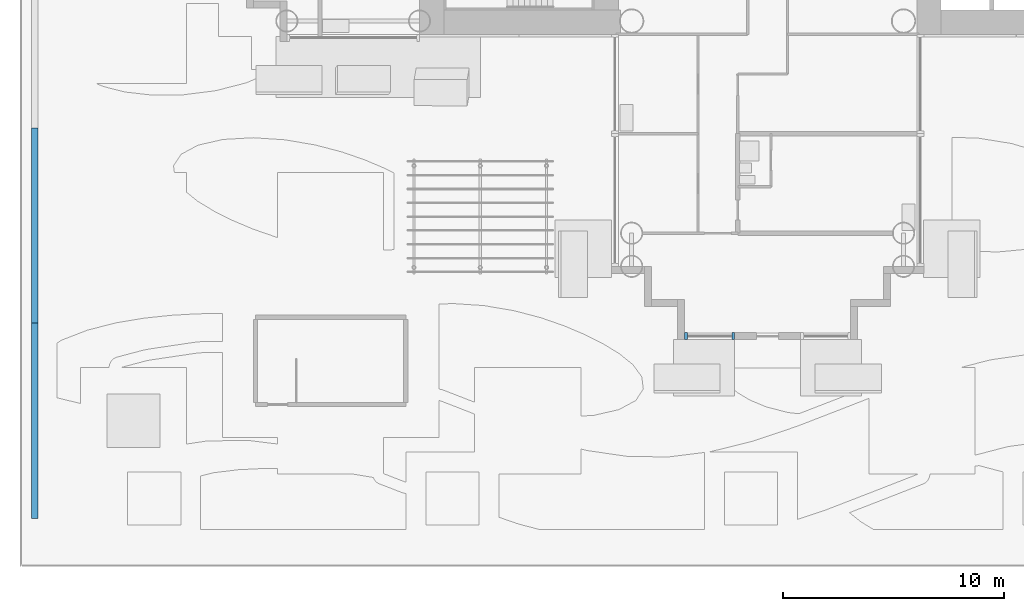
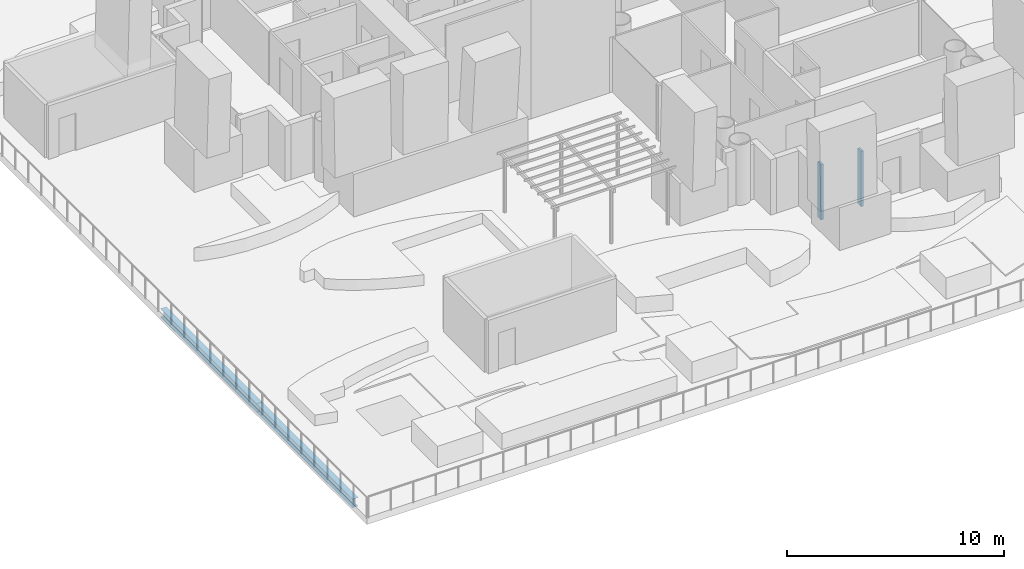
# One storey, part 3 of 40: 2 beams, 2 members, 1 element without a shape of its own.
"""IFC4 building model written with IfcOpenShell, lengths in metres."""

from ifc_helpers import new_model, si_unit, direction, frame, origin, origin_2d, place, context, subcontext, project, spatial, rectangle, i_section, extrude, material, layer, layer_set, material_profile, profile_set, type_object, element, aggregate, save


model = new_model("IFC4")

# Units and contexts
model_context = context("Model", 3, precision=1e-05, world=origin(), true_north=direction((0.0, 1.0)))
body_context = subcontext(model_context, "Body", "Model", "MODEL_VIEW")
ifc_project = project(units=[si_unit("LENGTHUNIT", "METRE"), si_unit("AREAUNIT", "SQUARE_METRE"), si_unit("VOLUMEUNIT", "CUBIC_METRE"), si_unit("PLANEANGLEUNIT", "RADIAN"), si_unit("MASSUNIT", "GRAM", prefix="KILO")], contexts=[model_context])

# Site, building, storey
site_placement = place(None, origin())
site = spatial("IfcSite", under=ifc_project, at=site_placement, CompositionType="ELEMENT")
building_placement = place(site_placement, origin())
building = spatial("IfcBuilding", under=site, at=building_placement, Name="Ipe Terrace Towers", CompositionType="ELEMENT")
storey_placement = place(building_placement, frame((0.0, 0.0, 24.5)))
storey = spatial("IfcBuildingStorey", under=building, at=storey_placement, Name="L05", CompositionType="ELEMENT", Elevation=24.5)

# Beams
ifc_material_1 = material(Name="Steel S355", Category="steel")
ifc_material_profile_1 = material_profile(ifc_material_1, i_section(OverallWidth=0.300048828125, OverallDepth=0.488037109375, WebThickness=0.010986328125, FlangeThickness=0.01806640625, at=origin_2d()), Name="H-488x300x11x18")
ifc_profile_set_1 = profile_set([ifc_material_profile_1], Name="Steel S355")
beam_type = type_object("IfcBeamType", Name="H09 EDGE BEAM H-488x300x11x18", PredefinedType="BEAM", material=ifc_profile_set_1)
beam_1_placement = place(storey_placement, frame((-69.14990234375, -28.64990234375, -0.6689453125), z_axis=(0.0, 1.0, 0.0), x_axis=(-1.0, 0.0, 0.0)))
element("IfcBeam", 1, at=beam_1_placement, inside=storey, type_object=beam_type, Name="Edge beam PD-EB-D01-E01", PredefinedType="BEAM", context=body_context, shape_type="SweptSolid", body=[
    extrude(i_section(OverallWidth=0.300048828125, OverallDepth=0.488037109375, WebThickness=0.010986328125, FlangeThickness=0.01806640625, at=origin_2d()), origin(), (0.0, 0.0, 1.0), 8.828857421875),
])
beam_2_placement = place(storey_placement, frame((-69.14990234375, -19.821044921875, -0.6689453125), z_axis=(0.0, 1.0, 0.0), x_axis=(-1.0, 0.0, 0.0)))
element("IfcBeam", 2, at=beam_2_placement, inside=storey, type_object=beam_type, Name="Edge beam PD-EB-E01-F01", PredefinedType="BEAM", context=body_context, shape_type="SweptSolid", body=[
    extrude(i_section(OverallWidth=0.300048828125, OverallDepth=0.488037109375, WebThickness=0.010986328125, FlangeThickness=0.01806640625, at=origin_2d()), origin(), (0.0, 0.0, 1.0), 8.828125),
])

# Curtain wall, members
ifc_material_2 = material(Name="Aluminium alloy 6063-T6", Category="aluminium")
ifc_layer = layer(ifc_material_2, 0.320068359375)
ifc_layer_set = layer_set([ifc_layer], Name="TOWER UNITISED CURTAIN WALL")
curtain_wall_type = type_object("IfcCurtainWallType", Name="TOWER UNITISED CURTAIN WALL", PredefinedType="NOTDEFINED", material=ifc_layer_set)
curtain_wall_placement = place(storey_placement, origin())
curtain_wall = element("IfcCurtainWall", 3, at=curtain_wall_placement, inside=storey, type_object=curtain_wall_type, Name="T1-CW-L05-12a curtain wall", PredefinedType="NOTDEFINED")
ifc_material_3 = material(Name="Aluminium alloy 6063-T6", Category="aluminium")
ifc_material_profile_2 = material_profile(ifc_material_3, rectangle(XDim=0.320068359375, YDim=0.1201171875, at=origin_2d()), Name="TOWER UNITISED CORNER MULLION 320 x 120")
ifc_profile_set_2 = profile_set([ifc_material_profile_2], Name="Aluminium alloy 6063-T6")
member_type = type_object("IfcMemberType", Name="TOWER UNITISED CORNER MULLION 320 x 120", PredefinedType="MULLION", material=ifc_profile_set_2)
member_1_placement = place(storey_placement, frame((-39.68994140625, -20.409912109375, 0.0), z_axis=(0.0, 0.0, 1.0), x_axis=(0.0, -1.0, 0.0)))
member_1 = element("IfcMember", 4, at=member_1_placement, type_object=member_type, Name="T1-CW-L05-12a mullion 1", PredefinedType="MULLION", context=body_context, shape_type="SweptSolid", body=[
    extrude(rectangle(XDim=0.320068359375, YDim=0.1201171875, at=origin_2d()), origin(), (0.0, 0.0, 1.0), 3.10009765625),
])
member_2_placement = place(storey_placement, frame((-37.56005859375, -20.409912109375, 0.0), z_axis=(0.0, 0.0, 1.0), x_axis=(0.0, -1.0, 0.0)))
member_2 = element("IfcMember", 5, at=member_2_placement, type_object=member_type, Name="T1-CW-L05-12a mullion 2", PredefinedType="MULLION", context=body_context, shape_type="SweptSolid", body=[
    extrude(rectangle(XDim=0.320068359375, YDim=0.1201171875, at=origin_2d()), origin(), (0.0, 0.0, 1.0), 3.10009765625),
])
aggregate(curtain_wall, [member_1, member_2])

save(model, "model.ifc")
